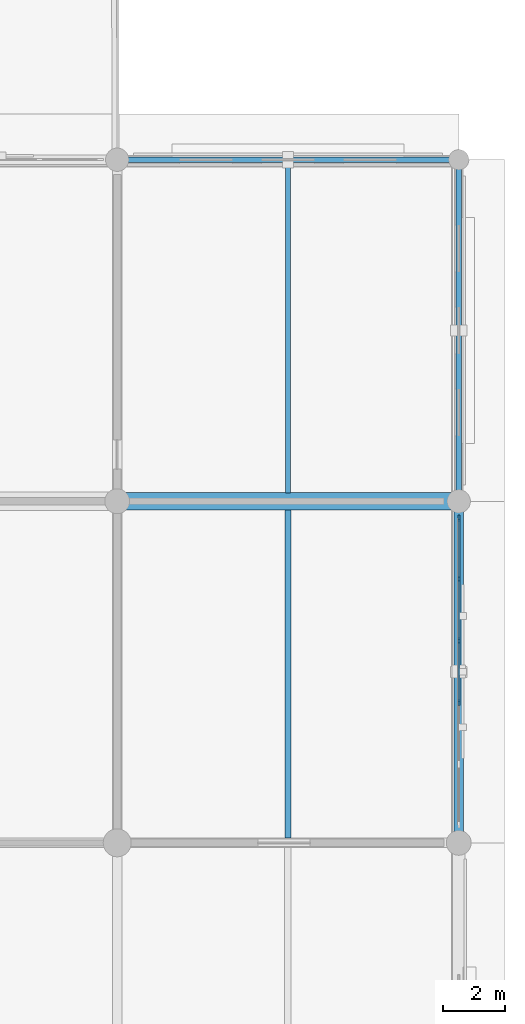
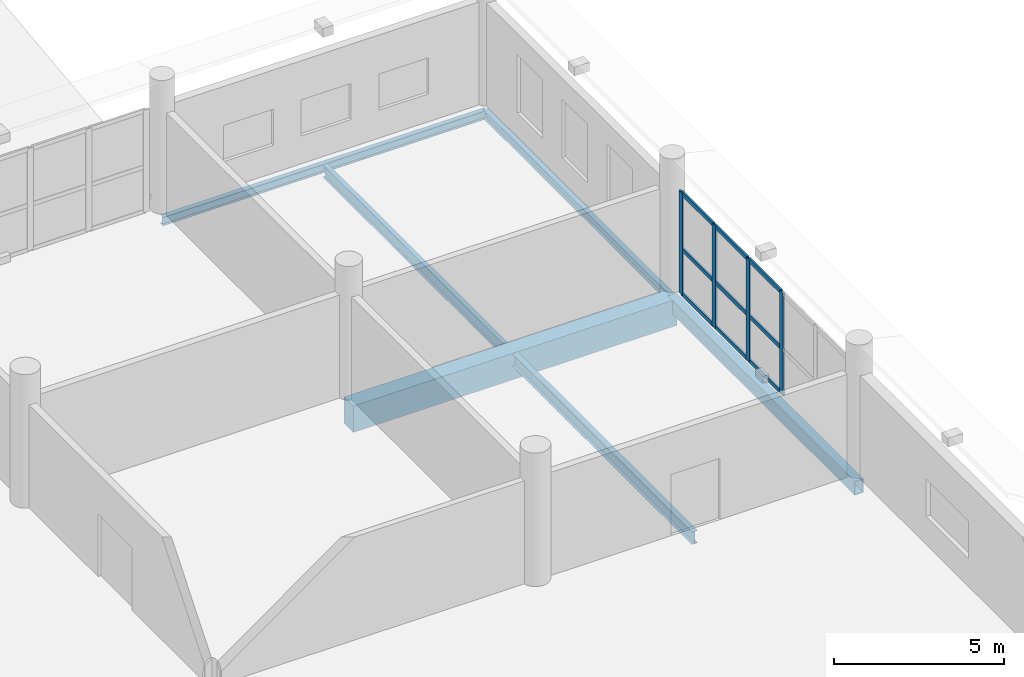
# One storey, part 72 of 143: 13 members, 6 beams, 1 element without a shape of its own.
"""IFC4 building model written with IfcOpenShell, lengths in metres."""

from ifc_helpers import new_model, si_unit, direction, frame, origin, origin_2d, place, context, subcontext, project, spatial, rectangle, hollow_rectangle, i_section, extrude, material, material_profile, profile_set, type_object, element, aggregate, save


model = new_model("IFC4")

# Units and contexts
model_context = context("Model", 3, precision=1e-05, world=origin(), true_north=direction((0.0, 1.0)))
body_context = subcontext(model_context, "Body", "Model", "MODEL_VIEW")
ifc_project = project(units=[si_unit("LENGTHUNIT", "METRE"), si_unit("AREAUNIT", "SQUARE_METRE"), si_unit("VOLUMEUNIT", "CUBIC_METRE"), si_unit("PLANEANGLEUNIT", "RADIAN"), si_unit("MASSUNIT", "GRAM", prefix="KILO")], contexts=[model_context])

# Site, building, storey
site_placement = place(None, origin())
site = spatial("IfcSite", under=ifc_project, at=site_placement, CompositionType="ELEMENT")
building_placement = place(site_placement, origin())
building = spatial("IfcBuilding", under=site, at=building_placement, Name="Luwafu Chhajja Arena", CompositionType="ELEMENT")
storey_placement = place(building_placement, frame((0.0, 0.0, 5.39990234375)))
storey = spatial("IfcBuildingStorey", under=building, at=storey_placement, Name="L01", CompositionType="ELEMENT", Elevation=5.39990234375)

# Curtain wall, members
ifc_material_1 = material(Name="Anodised bronze aluminium", Category="aluminium")
curtain_wall_type = type_object("IfcCurtainWallType", Name="Hospitality Ring Curtain Wall", PredefinedType="USERDEFINED", material=ifc_material_1)
curtain_wall_placement = place(storey_placement, origin())
curtain_wall = element("IfcCurtainWall", 1, at=curtain_wall_placement, inside=storey, type_object=curtain_wall_type, Name="L01 Curtain Wall CWG-L01-V17_09", ObjectType="CURTAIN WALL", PredefinedType="USERDEFINED")
ifc_material_profile_1 = material_profile(ifc_material_1, rectangle(XDim=0.06494140625, YDim=0.199951171875, at=origin_2d()), Name="CWM 65x200")
ifc_profile_set_1 = profile_set([ifc_material_profile_1], Name="Anodised bronze aluminium")
member_type_1 = type_object("IfcMemberType", Name="Bronze Curtain Wall Mullion 65x200", PredefinedType="MULLION", material=ifc_profile_set_1)
member_1_placement = place(storey_placement, frame((198.0, 103.51806640625, 0.030029296875), z_axis=(0.0, 0.0, 1.0), x_axis=(-1.0, 0.0, 0.0)))
member_1 = element("IfcMember", 2, at=member_1_placement, type_object=member_type_1, Name="CW-02 mullion 3", PredefinedType="MULLION", context=body_context, shape_type="SweptSolid", body=[
    extrude(rectangle(XDim=0.06494140625, YDim=0.199951171875, at=origin_2d()), origin(), (0.0, 0.0, 1.0), 3.675048828125),
])
member_2_placement = place(storey_placement, frame((198.0, 105.507080078125, 0.030029296875), z_axis=(0.0, 0.0, 1.0), x_axis=(-1.0, 0.0, 0.0)))
member_2 = element("IfcMember", 3, at=member_2_placement, type_object=member_type_1, Name="CW-02 mullion 4", PredefinedType="MULLION", context=body_context, shape_type="SweptSolid", body=[
    extrude(rectangle(XDim=0.06494140625, YDim=0.199951171875, at=origin_2d()), origin(), (0.0, 0.0, 1.0), 3.675048828125),
])
member_3_placement = place(storey_placement, frame((198.0, 107.49609375, 0.030029296875), z_axis=(0.0, 0.0, 1.0), x_axis=(-1.0, 0.0, 0.0)))
member_3 = element("IfcMember", 4, at=member_3_placement, type_object=member_type_1, Name="CW-02 mullion 5", PredefinedType="MULLION", context=body_context, shape_type="SweptSolid", body=[
    extrude(rectangle(XDim=0.06494140625, YDim=0.199951171875, at=origin_2d()), origin(), (0.0, 0.0, 1.0), 3.675048828125),
])
member_4_placement = place(storey_placement, frame((198.0, 109.452392578125, 0.030029296875), z_axis=(0.0, 0.0, 1.0), x_axis=(-1.0, 0.0, 0.0)))
member_4 = element("IfcMember", 5, at=member_4_placement, type_object=member_type_1, Name="CW-02 mullion 6", PredefinedType="MULLION", context=body_context, shape_type="SweptSolid", body=[
    extrude(rectangle(XDim=0.06494140625, YDim=0.199951171875, at=origin_2d()), origin(), (0.0, 0.0, 1.0), 3.675048828125),
])
ifc_material_profile_2 = material_profile(ifc_material_1, rectangle(XDim=0.06494140625, YDim=0.14990234375, at=origin_2d()), Name="CWT 65x150")
ifc_profile_set_2 = profile_set([ifc_material_profile_2], Name="Anodised bronze aluminium")
member_type_2 = type_object("IfcMemberType", Name="Bronze Curtain Wall Transom 65x150", PredefinedType="USERDEFINED", material=ifc_profile_set_2)
member_5_placement = place(storey_placement, frame((198.0, 103.550537109375, 0.0625), z_axis=(0.0, 1.0, 0.0), x_axis=(-1.0, 0.0, 0.0)))
member_5 = element("IfcMember", 6, at=member_5_placement, type_object=member_type_2, Name="CW-02 transom 3.1", ObjectType="TRANSOM", PredefinedType="USERDEFINED", context=body_context, shape_type="SweptSolid", body=[
    extrude(rectangle(XDim=0.06494140625, YDim=0.14990234375, at=origin_2d()), origin(), (0.0, 0.0, 1.0), 1.924072265625),
])
member_6_placement = place(storey_placement, frame((198.0, 103.550537109375, 1.66748046875), z_axis=(0.0, 1.0, 0.0), x_axis=(-1.0, 0.0, 0.0)))
member_6 = element("IfcMember", 7, at=member_6_placement, type_object=member_type_2, Name="CW-02 transom 3.2", ObjectType="TRANSOM", PredefinedType="USERDEFINED", context=body_context, shape_type="SweptSolid", body=[
    extrude(rectangle(XDim=0.06494140625, YDim=0.14990234375, at=origin_2d()), origin(), (0.0, 0.0, 1.0), 1.924072265625),
])
member_7_placement = place(storey_placement, frame((198.0, 103.550537109375, 3.672607421875), z_axis=(0.0, 1.0, 0.0), x_axis=(-1.0, 0.0, 0.0)))
member_7 = element("IfcMember", 8, at=member_7_placement, type_object=member_type_2, Name="CW-02 transom 3.3", ObjectType="TRANSOM", PredefinedType="USERDEFINED", context=body_context, shape_type="SweptSolid", body=[
    extrude(rectangle(XDim=0.06494140625, YDim=0.14990234375, at=origin_2d()), origin(), (0.0, 0.0, 1.0), 1.924072265625),
])
member_8_placement = place(storey_placement, frame((198.0, 105.53955078125, 0.0625), z_axis=(0.0, 1.0, 0.0), x_axis=(-1.0, 0.0, 0.0)))
member_8 = element("IfcMember", 9, at=member_8_placement, type_object=member_type_2, Name="CW-02 transom 4.1", ObjectType="TRANSOM", PredefinedType="USERDEFINED", context=body_context, shape_type="SweptSolid", body=[
    extrude(rectangle(XDim=0.06494140625, YDim=0.14990234375, at=origin_2d()), origin(), (0.0, 0.0, 1.0), 1.923828125),
])
member_9_placement = place(storey_placement, frame((198.0, 105.53955078125, 1.66748046875), z_axis=(0.0, 1.0, 0.0), x_axis=(-1.0, 0.0, 0.0)))
member_9 = element("IfcMember", 10, at=member_9_placement, type_object=member_type_2, Name="CW-02 transom 4.2", ObjectType="TRANSOM", PredefinedType="USERDEFINED", context=body_context, shape_type="SweptSolid", body=[
    extrude(rectangle(XDim=0.06494140625, YDim=0.14990234375, at=origin_2d()), origin(), (0.0, 0.0, 1.0), 1.923828125),
])
member_10_placement = place(storey_placement, frame((198.0, 105.53955078125, 3.672607421875), z_axis=(0.0, 1.0, 0.0), x_axis=(-1.0, 0.0, 0.0)))
member_10 = element("IfcMember", 11, at=member_10_placement, type_object=member_type_2, Name="CW-02 transom 4.3", ObjectType="TRANSOM", PredefinedType="USERDEFINED", context=body_context, shape_type="SweptSolid", body=[
    extrude(rectangle(XDim=0.06494140625, YDim=0.14990234375, at=origin_2d()), origin(), (0.0, 0.0, 1.0), 1.923828125),
])
member_11_placement = place(storey_placement, frame((198.0, 107.528564453125, 0.0625), z_axis=(0.0, 1.0, 0.0), x_axis=(-1.0, 0.0, 0.0)))
member_11 = element("IfcMember", 12, at=member_11_placement, type_object=member_type_2, Name="CW-02 transom 5.1", ObjectType="TRANSOM", PredefinedType="USERDEFINED", context=body_context, shape_type="SweptSolid", body=[
    extrude(rectangle(XDim=0.06494140625, YDim=0.14990234375, at=origin_2d()), origin(), (0.0, 0.0, 1.0), 1.891357421875),
])
member_12_placement = place(storey_placement, frame((198.0, 107.528564453125, 1.66748046875), z_axis=(0.0, 1.0, 0.0), x_axis=(-1.0, 0.0, 0.0)))
member_12 = element("IfcMember", 13, at=member_12_placement, type_object=member_type_2, Name="CW-02 transom 5.2", ObjectType="TRANSOM", PredefinedType="USERDEFINED", context=body_context, shape_type="SweptSolid", body=[
    extrude(rectangle(XDim=0.06494140625, YDim=0.14990234375, at=origin_2d()), origin(), (0.0, 0.0, 1.0), 1.891357421875),
])
member_13_placement = place(storey_placement, frame((198.0, 107.528564453125, 3.672607421875), z_axis=(0.0, 1.0, 0.0), x_axis=(-1.0, 0.0, 0.0)))
member_13 = element("IfcMember", 14, at=member_13_placement, type_object=member_type_2, Name="CW-02 transom 5.3", ObjectType="TRANSOM", PredefinedType="USERDEFINED", context=body_context, shape_type="SweptSolid", body=[
    extrude(rectangle(XDim=0.06494140625, YDim=0.14990234375, at=origin_2d()), origin(), (0.0, 0.0, 1.0), 1.891357421875),
])
aggregate(curtain_wall, [member_1, member_2, member_3, member_4, member_5, member_6, member_7, member_8, member_9, member_10, member_11, member_12, member_13])

# Beams
ifc_material_2 = material(Name="Steel S355", Category="steel")
ifc_material_profile_3 = material_profile(ifc_material_2, i_section(OverallWidth=0.165771484375, OverallDepth=0.306640625, WebThickness=0.006591796875, FlangeThickness=0.01171875, at=origin_2d()), Name="UB 305x165x46")
ifc_profile_set_3 = profile_set([ifc_material_profile_3], Name="Steel S355")
beam_type_1 = type_object("IfcBeamType", Name="Concourse Edge Spandrel Beam UB 305x165x46", PredefinedType="SPANDREL", material=ifc_profile_set_3)
for number, where, z_axis, x_axis, name in (
    (15, (187.0, 121.0, -0.483154296875), (1.0, 0.0, 0.0), (0.0, 1.0, 0.0), "L01 Grid Beam 17-18/M"),
    (16, (198.0, 110.0, -0.483154296875), (0.0, 1.0, 0.0), (-1.0, 0.0, 0.0), "L01 Grid Beam 18/L-M"),
):
    element("IfcBeam", number, at=place(storey_placement, frame(where, z_axis=z_axis, x_axis=x_axis)), inside=storey, type_object=beam_type_1, Name=name, PredefinedType="SPANDREL", context=body_context, shape_type="SweptSolid", body=[
        extrude(i_section(OverallWidth=0.165771484375, OverallDepth=0.306640625, WebThickness=0.006591796875, FlangeThickness=0.01171875, at=origin_2d()), origin(), (0.0, 0.0, 1.0), 11.0),
    ])
ifc_material_3 = material(Name="Concrete C35/45", Category="concrete")
ifc_material_profile_4 = material_profile(ifc_material_3, rectangle(XDim=0.550048828125, YDim=0.949951171875, at=origin_2d()), Name="RC 550x950")
ifc_profile_set_4 = profile_set([ifc_material_profile_4], Name="Concrete C35/45")
beam_type_2 = type_object("IfcBeamType", Name="Concourse Radial Girder RC 550x950", PredefinedType="BEAM", material=ifc_profile_set_4)
beam_1_placement = place(storey_placement, frame((187.0, 110.0, -0.804931640625), z_axis=(1.0, 0.0, 0.0), x_axis=(0.0, 1.0, 0.0)))
element("IfcBeam", 17, at=beam_1_placement, inside=storey, type_object=beam_type_2, Name="L01 Grid Beam 17-18/L", PredefinedType="BEAM", context=body_context, shape_type="SweptSolid", body=[
    extrude(rectangle(XDim=0.550048828125, YDim=0.949951171875, at=origin_2d()), origin(), (0.0, 0.0, 1.0), 11.0),
])
ifc_material_profile_5 = material_profile(ifc_material_2, i_section(OverallWidth=0.15283203125, OverallDepth=0.45458984375, WebThickness=0.008056640625, FlangeThickness=0.01318359375, at=origin_2d()), Name="UB 457x152x60")
ifc_profile_set_5 = profile_set([ifc_material_profile_5], Name="Steel S355")
beam_type_3 = type_object("IfcBeamType", Name="Floor Joist UB 457x152x60", PredefinedType="JOIST", material=ifc_profile_set_5)
beam_2_placement = place(storey_placement, frame((192.5, 110.27490234375, -0.55712890625), z_axis=(0.0, 1.0, 0.0), x_axis=(-1.0, 0.0, 0.0)))
element("IfcBeam", 18, at=beam_2_placement, inside=storey, type_object=beam_type_3, Name="L01 Secondary Joist 17-18/L", PredefinedType="JOIST", context=body_context, shape_type="SweptSolid", body=[
    extrude(i_section(OverallWidth=0.15283203125, OverallDepth=0.45458984375, WebThickness=0.008056640625, FlangeThickness=0.01318359375, at=origin_2d()), origin(), (0.0, 0.0, 1.0), 10.642333984375),
])
ifc_material_profile_6 = material_profile(ifc_material_2, i_section(OverallWidth=0.19140625, OverallDepth=0.4599609375, WebThickness=0.010009765625, FlangeThickness=0.01611328125, at=origin_2d()), Name="UB 457x191x82")
ifc_profile_set_6 = profile_set([ifc_material_profile_6], Name="Steel S355")
beam_type_4 = type_object("IfcBeamType", Name="Floor Joist UB 457x191x82", PredefinedType="JOIST", material=ifc_profile_set_6)
beam_3_placement = place(storey_placement, frame((192.5, 99.14990234375, -0.559814453125), z_axis=(0.0, 1.0, 0.0), x_axis=(-1.0, 0.0, 0.0)))
element("IfcBeam", 19, at=beam_3_placement, inside=storey, type_object=beam_type_4, Name="L01 Secondary Joist 17-18/K", PredefinedType="JOIST", context=body_context, shape_type="SweptSolid", body=[
    extrude(i_section(OverallWidth=0.19140625, OverallDepth=0.4599609375, WebThickness=0.010009765625, FlangeThickness=0.01611328125, at=origin_2d()), origin(), (0.0, 0.0, 1.0), 10.5751953125),
])
ifc_material_profile_7 = material_profile(ifc_material_2, hollow_rectangle(XDim=0.300048828125, YDim=0.5, WallThickness=0.02001953125, at=origin_2d()), Name="RHS 500x300x20")
ifc_profile_set_7 = profile_set([ifc_material_profile_7], Name="Steel S355")
beam_type_5 = type_object("IfcBeamType", Name="Pleated Drum Spandrel Beam RHS 500x300", PredefinedType="SPANDREL", material=ifc_profile_set_7)
beam_4_placement = place(storey_placement, frame((198.0, 99.0, -0.579833984375), z_axis=(0.0, 1.0, 0.0), x_axis=(-1.0, 0.0, 0.0)))
element("IfcBeam", 20, at=beam_4_placement, inside=storey, type_object=beam_type_5, Name="L01 Grid Beam 18/K-L", PredefinedType="SPANDREL", context=body_context, shape_type="SweptSolid", body=[
    extrude(hollow_rectangle(XDim=0.300048828125, YDim=0.5, WallThickness=0.02001953125, at=origin_2d()), origin(), (0.0, 0.0, 1.0), 11.0),
])

save(model, "model.ifc")
